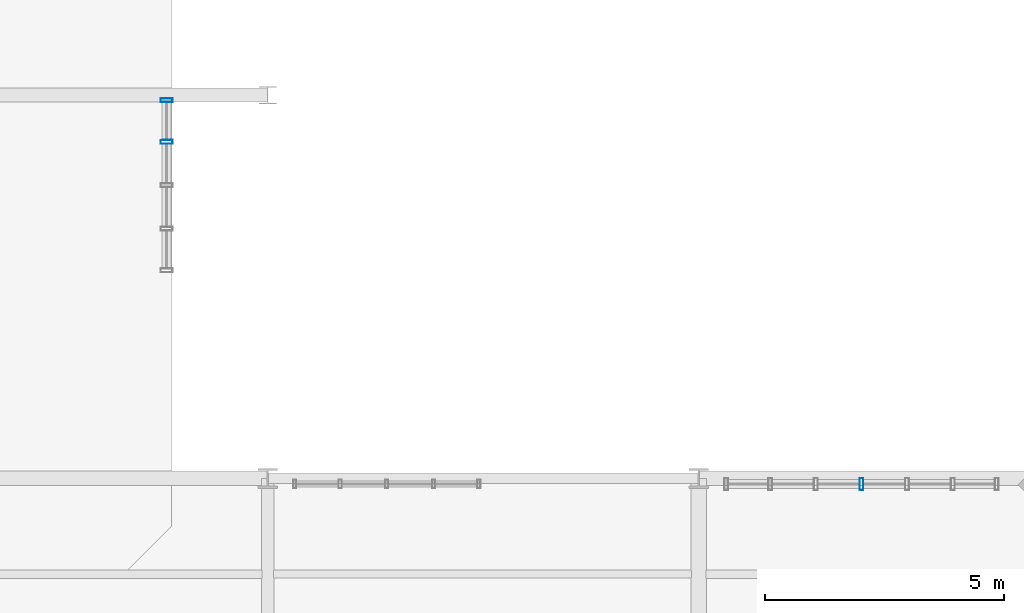
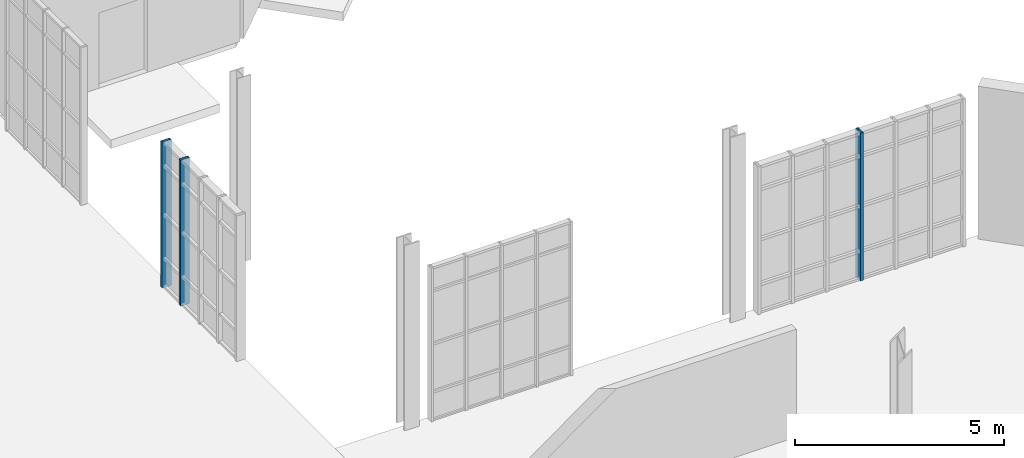
# One storey, part 36 of 189: 3 members, 2 elements without a shape of their own.
"""IFC4 building model written with IfcOpenShell, lengths in metres."""

from ifc_helpers import new_model, si_unit, direction, frame, origin, origin_2d, place, context, subcontext, project, spatial, hollow_rectangle, extrude, material, layer, layer_set, material_profile, profile_set, type_object, element, aggregate, save


model = new_model("IFC4")

# Units and contexts
model_context = context("Model", 3, precision=1e-05, world=origin(), true_north=direction((0.0, 1.0)))
body_context = subcontext(model_context, "Body", "Model", "MODEL_VIEW")
ifc_project = project(units=[si_unit("LENGTHUNIT", "METRE"), si_unit("AREAUNIT", "SQUARE_METRE"), si_unit("VOLUMEUNIT", "CUBIC_METRE"), si_unit("PLANEANGLEUNIT", "RADIAN"), si_unit("MASSUNIT", "GRAM", prefix="KILO"), si_unit("THERMODYNAMICTEMPERATUREUNIT", "KELVIN"), si_unit("POWERUNIT", "WATT")], contexts=[model_context])

# Site, building, storey
site_placement = place(None, origin())
site = spatial("IfcSite", under=ifc_project, at=site_placement, CompositionType="ELEMENT")
building_placement = place(site_placement, origin())
building = spatial("IfcBuilding", under=site, at=building_placement, Name="Zelmaris Science Centre", CompositionType="ELEMENT")
storey_placement = place(building_placement, origin())
storey = spatial("IfcBuildingStorey", under=building, at=storey_placement, Name="L00", CompositionType="ELEMENT", Elevation=0.0)

# Curtain wall, members
ifc_material = material(Name="Anodised architectural aluminium 6063-T6", Category="aluminium")
ifc_layer = layer(ifc_material, 0.18994140625, Name="Anodised architectural aluminium 6063-T6")
ifc_layer_set = layer_set([ifc_layer], Name="Anodised architectural aluminium 6063-T6")
curtain_wall_type = type_object("IfcCurtainWallType", Name="Curtain Wall CW-01", PredefinedType="USERDEFINED", material=ifc_layer_set)
curtain_wall_1_placement = place(storey_placement, origin())
curtain_wall_1 = element("IfcCurtainWall", 1, at=curtain_wall_1_placement, inside=storey, type_object=curtain_wall_type, Name="L00 Unitised curtain wall 41", ObjectType="GLAZED CURTAIN WALL", PredefinedType="USERDEFINED")
ifc_material_profile = material_profile(ifc_material, hollow_rectangle(XDim=0.080078125, YDim=0.25, WallThickness=0.0048828125, at=origin_2d()), Name="ALU-MUL-80X250")
ifc_profile_set = profile_set([ifc_material_profile], Name="Anodised architectural aluminium 6063-T6")
member_type = type_object("IfcMemberType", Name="ALU-MUL-80X250", PredefinedType="MULLION", material=ifc_profile_set)
member_1_placement = place(storey_placement, frame((33.88818359375, 47.8935546875, -0.014892578125), z_axis=(0.0, 0.0, 1.0), x_axis=(0.000692895658, -0.999999759948, 0.0)))
member_1 = element("IfcMember", 2, at=member_1_placement, type_object=member_type, Name="CW-01 mullion 1", PredefinedType="MULLION", context=body_context, shape_type="SweptSolid", body=[
    extrude(hollow_rectangle(XDim=0.080078125, YDim=0.25, WallThickness=0.0048828125, at=origin_2d()), origin(), (0.0, 0.0, 1.0), 4.2587890625),
])
member_2_placement = place(storey_placement, frame((33.888671875, 47.023681640625, -0.014892578125), z_axis=(0.0, 0.0, 1.0), x_axis=(0.000692895658, -0.999999759948, 0.0)))
member_2 = element("IfcMember", 3, at=member_2_placement, type_object=member_type, Name="CW-01 mullion 2", PredefinedType="MULLION", context=body_context, shape_type="SweptSolid", body=[
    extrude(hollow_rectangle(XDim=0.080078125, YDim=0.25, WallThickness=0.0048828125, at=origin_2d()), origin(), (0.0, 0.0, 1.0), 4.2587890625),
])
aggregate(curtain_wall_1, [member_1, member_2])

# Curtain wall, member
curtain_wall_2_placement = place(storey_placement, origin())
curtain_wall_2 = element("IfcCurtainWall", 4, at=curtain_wall_2_placement, inside=storey, type_object=curtain_wall_type, Name="L00 Unitised curtain wall 45", ObjectType="GLAZED CURTAIN WALL", PredefinedType="USERDEFINED")
member_3_placement = place(storey_placement, frame((48.39990234375, 39.8798828125, -0.014892578125), z_axis=(0.0, 0.0, 1.0), x_axis=(0.999999999994, -3.490659e-06, 0.0)))
member_3 = element("IfcMember", 5, at=member_3_placement, type_object=member_type, Name="CW-01 mullion 4", PredefinedType="MULLION", context=body_context, shape_type="SweptSolid", body=[
    extrude(hollow_rectangle(XDim=0.080078125, YDim=0.25, WallThickness=0.0048828125, at=origin_2d()), origin(), (0.0, 0.0, 1.0), 4.322998046875),
])
aggregate(curtain_wall_2, [member_3])

save(model, "model.ifc")
